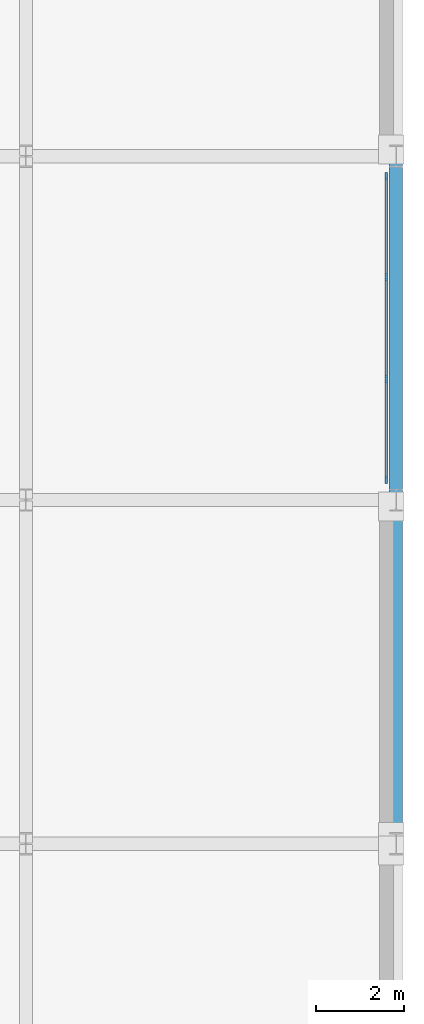
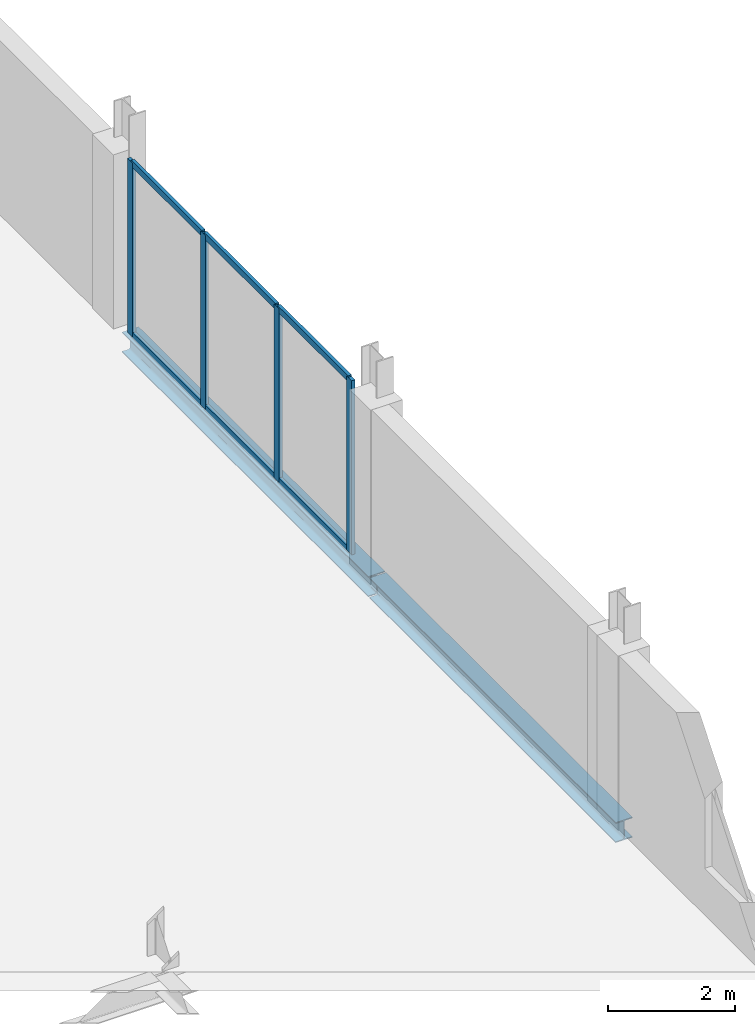
# One storey, part 42 of 77: 10 members, 2 beams, 1 element without a shape of its own.
"""IFC4 building model written with IfcOpenShell, lengths in metres."""

from ifc_helpers import new_model, si_unit, direction, frame, origin, origin_2d, place, context, subcontext, project, spatial, rectangle, i_section, extrude, material, material_profile, profile_set, type_object, element, aggregate, save


model = new_model("IFC4")

# Units and contexts
model_context = context("Model", 3, precision=1e-05, world=origin(), true_north=direction((0.0, 1.0)))
body_context = subcontext(model_context, "Body", "Model", "MODEL_VIEW")
ifc_project = project(units=[si_unit("LENGTHUNIT", "METRE"), si_unit("AREAUNIT", "SQUARE_METRE"), si_unit("VOLUMEUNIT", "CUBIC_METRE"), si_unit("PLANEANGLEUNIT", "RADIAN"), si_unit("MASSUNIT", "GRAM", prefix="KILO")], contexts=[model_context])

# Site, building, storey
site_placement = place(None, origin())
site = spatial("IfcSite", under=ifc_project, at=site_placement, CompositionType="ELEMENT")
building_placement = place(site_placement, origin())
building = spatial("IfcBuilding", under=site, at=building_placement, Name="Nabrawat Pavilion Hospital", CompositionType="ELEMENT")
storey_placement = place(building_placement, frame((0.0, 0.0, 14.85009765625)))
storey = spatial("IfcBuildingStorey", under=building, at=storey_placement, Name="L03", CompositionType="ELEMENT", Elevation=14.85009765625)

# Curtain wall, members
ifc_material_1 = material(Name="Anodised Aluminium", Category="aluminium")
curtain_wall_type = type_object("IfcCurtainWallType", Name="Inpatient Dayroom Bay Curtain Wall", PredefinedType="USERDEFINED", material=ifc_material_1)
curtain_wall_placement = place(storey_placement, origin())
curtain_wall = element("IfcCurtainWall", 1, at=curtain_wall_placement, inside=storey, type_object=curtain_wall_type, Name="L03 Inpatient Dayroom Bay Curtain Wall 146", ObjectType="CURTAIN WALL", PredefinedType="USERDEFINED")
ifc_material_profile_1 = material_profile(ifc_material_1, rectangle(XDim=0.06005859375, YDim=0.159912109375, at=origin_2d()), Name="CWM 60x160")
ifc_profile_set_1 = profile_set([ifc_material_profile_1], Name="Anodised Aluminium")
member_type_1 = type_object("IfcMemberType", Name="Inpatient Dayroom Bay Curtain Wall Mullion CWM 60x160", PredefinedType="MULLION", material=ifc_profile_set_1)
member_1_placement = place(storey_placement, frame((192.97998046875, 55.050048828125, 0.0), z_axis=(0.0, 0.0, 1.0), x_axis=(-1.0, 0.0, 0.0)))
member_1 = element("IfcMember", 2, at=member_1_placement, type_object=member_type_1, Name="CW-WRD-01 mullion 1", PredefinedType="MULLION", context=body_context, shape_type="SweptSolid", body=[
    extrude(rectangle(XDim=0.06005859375, YDim=0.159912109375, at=origin_2d()), origin(), (0.0, 0.0, 1.0), 3.349853515625),
])
member_2_placement = place(storey_placement, frame((192.97998046875, 57.340087890625, 0.0), z_axis=(0.0, 0.0, 1.0), x_axis=(-1.0, 0.0, 0.0)))
member_2 = element("IfcMember", 3, at=member_2_placement, type_object=member_type_1, Name="CW-WRD-01 mullion 2", PredefinedType="MULLION", context=body_context, shape_type="SweptSolid", body=[
    extrude(rectangle(XDim=0.06005859375, YDim=0.159912109375, at=origin_2d()), origin(), (0.0, 0.0, 1.0), 3.349853515625),
])
member_3_placement = place(storey_placement, frame((192.97998046875, 59.659912109375, 0.0), z_axis=(0.0, 0.0, 1.0), x_axis=(-1.0, 0.0, 0.0)))
member_3 = element("IfcMember", 4, at=member_3_placement, type_object=member_type_1, Name="CW-WRD-01 mullion 3", PredefinedType="MULLION", context=body_context, shape_type="SweptSolid", body=[
    extrude(rectangle(XDim=0.06005859375, YDim=0.159912109375, at=origin_2d()), origin(), (0.0, 0.0, 1.0), 3.349853515625),
])
member_4_placement = place(storey_placement, frame((192.97998046875, 61.949951171875, 0.0), z_axis=(0.0, 0.0, 1.0), x_axis=(-1.0, 0.0, 0.0)))
member_4 = element("IfcMember", 5, at=member_4_placement, type_object=member_type_1, Name="CW-WRD-01 mullion 4", PredefinedType="MULLION", context=body_context, shape_type="SweptSolid", body=[
    extrude(rectangle(XDim=0.06005859375, YDim=0.159912109375, at=origin_2d()), origin(), (0.0, 0.0, 1.0), 3.349853515625),
])
ifc_material_profile_2 = material_profile(ifc_material_1, rectangle(XDim=0.06005859375, YDim=0.1201171875, at=origin_2d()), Name="CWT 60x120")
ifc_profile_set_2 = profile_set([ifc_material_profile_2], Name="Anodised Aluminium")
member_type_2 = type_object("IfcMemberType", Name="Inpatient Dayroom Bay Curtain Wall Transom CWT 60x120", PredefinedType="USERDEFINED", material=ifc_profile_set_2)
member_5_placement = place(storey_placement, frame((192.97998046875, 55.080078125, 0.02978515625), z_axis=(0.0, 1.0, 0.0), x_axis=(-1.0, 0.0, 0.0)))
member_5 = element("IfcMember", 6, at=member_5_placement, type_object=member_type_2, Name="CW-WRD-01 transom 1.1", ObjectType="TRANSOM", PredefinedType="USERDEFINED", context=body_context, shape_type="SweptSolid", body=[
    extrude(rectangle(XDim=0.06005859375, YDim=0.1201171875, at=origin_2d()), origin(), (0.0, 0.0, 1.0), 2.22998046875),
])
member_6_placement = place(storey_placement, frame((192.97998046875, 55.080078125, 3.31982421875), z_axis=(0.0, 1.0, 0.0), x_axis=(-1.0, 0.0, 0.0)))
member_6 = element("IfcMember", 7, at=member_6_placement, type_object=member_type_2, Name="CW-WRD-01 transom 1.2", ObjectType="TRANSOM", PredefinedType="USERDEFINED", context=body_context, shape_type="SweptSolid", body=[
    extrude(rectangle(XDim=0.06005859375, YDim=0.1201171875, at=origin_2d()), origin(), (0.0, 0.0, 1.0), 2.22998046875),
])
member_7_placement = place(storey_placement, frame((192.97998046875, 57.3701171875, 0.02978515625), z_axis=(0.0, 1.0, 0.0), x_axis=(-1.0, 0.0, 0.0)))
member_7 = element("IfcMember", 8, at=member_7_placement, type_object=member_type_2, Name="CW-WRD-01 transom 2.1", ObjectType="TRANSOM", PredefinedType="USERDEFINED", context=body_context, shape_type="SweptSolid", body=[
    extrude(rectangle(XDim=0.06005859375, YDim=0.1201171875, at=origin_2d()), origin(), (0.0, 0.0, 1.0), 2.259765625),
])
member_8_placement = place(storey_placement, frame((192.97998046875, 57.3701171875, 3.31982421875), z_axis=(0.0, 1.0, 0.0), x_axis=(-1.0, 0.0, 0.0)))
member_8 = element("IfcMember", 9, at=member_8_placement, type_object=member_type_2, Name="CW-WRD-01 transom 2.2", ObjectType="TRANSOM", PredefinedType="USERDEFINED", context=body_context, shape_type="SweptSolid", body=[
    extrude(rectangle(XDim=0.06005859375, YDim=0.1201171875, at=origin_2d()), origin(), (0.0, 0.0, 1.0), 2.259765625),
])
member_9_placement = place(storey_placement, frame((192.97998046875, 59.68994140625, 0.02978515625), z_axis=(0.0, 1.0, 0.0), x_axis=(-1.0, 0.0, 0.0)))
member_9 = element("IfcMember", 10, at=member_9_placement, type_object=member_type_2, Name="CW-WRD-01 transom 3.1", ObjectType="TRANSOM", PredefinedType="USERDEFINED", context=body_context, shape_type="SweptSolid", body=[
    extrude(rectangle(XDim=0.06005859375, YDim=0.1201171875, at=origin_2d()), origin(), (0.0, 0.0, 1.0), 2.22998046875),
])
member_10_placement = place(storey_placement, frame((192.97998046875, 59.68994140625, 3.31982421875), z_axis=(0.0, 1.0, 0.0), x_axis=(-1.0, 0.0, 0.0)))
member_10 = element("IfcMember", 11, at=member_10_placement, type_object=member_type_2, Name="CW-WRD-01 transom 3.2", ObjectType="TRANSOM", PredefinedType="USERDEFINED", context=body_context, shape_type="SweptSolid", body=[
    extrude(rectangle(XDim=0.06005859375, YDim=0.1201171875, at=origin_2d()), origin(), (0.0, 0.0, 1.0), 2.22998046875),
])
aggregate(curtain_wall, [member_1, member_2, member_3, member_4, member_5, member_6, member_7, member_8, member_9, member_10])

# Beams
ifc_material_2 = material(Name="Steel S355", Category="steel")
ifc_material_profile_3 = material_profile(ifc_material_2, i_section(OverallWidth=0.300048828125, OverallDepth=0.389892578125, WebThickness=0.010986328125, FlangeThickness=0.01904296875, FilletRadius=0.027099609375, at=origin_2d()), Name="HEA 400")
ifc_profile_set_3 = profile_set([ifc_material_profile_3], Name="Steel S355")
beam_type = type_object("IfcBeamType", Name="Perimeter Moment Spandrel Beam HEA 400", PredefinedType="SPANDREL", material=ifc_profile_set_3)
beam_1_placement = place(storey_placement, frame((193.199951171875, 46.820068359375, -0.43505859375), z_axis=(0.0, 1.0, 0.0), x_axis=(-1.0, 0.0, 0.0)))
element("IfcBeam", 12, at=beam_1_placement, inside=storey, type_object=beam_type, Name="L03 Primary Y Beam 1743", PredefinedType="SPANDREL", context=body_context, shape_type="SweptSolid", body=[
    extrude(i_section(OverallWidth=0.300048828125, OverallDepth=0.389892578125, WebThickness=0.010986328125, FlangeThickness=0.01904296875, FilletRadius=0.027099609375, at=origin_2d()), origin(), (0.0, 0.0, 1.0), 7.760009765625),
])
beam_2_placement = place(storey_placement, frame((193.199951171875, 54.6201171875, -0.43505859375), z_axis=(0.0, 1.0, 0.0), x_axis=(-1.0, 0.0, 0.0)))
element("IfcBeam", 13, at=beam_2_placement, inside=storey, type_object=beam_type, Name="L03 Primary Y Beam 1744", PredefinedType="SPANDREL", context=body_context, shape_type="SweptSolid", body=[
    extrude(i_section(OverallWidth=0.300048828125, OverallDepth=0.389892578125, WebThickness=0.010986328125, FlangeThickness=0.01904296875, FilletRadius=0.027099609375, at=origin_2d()), origin(), (0.0, 0.0, 1.0), 7.759765625),
])

save(model, "model.ifc")
